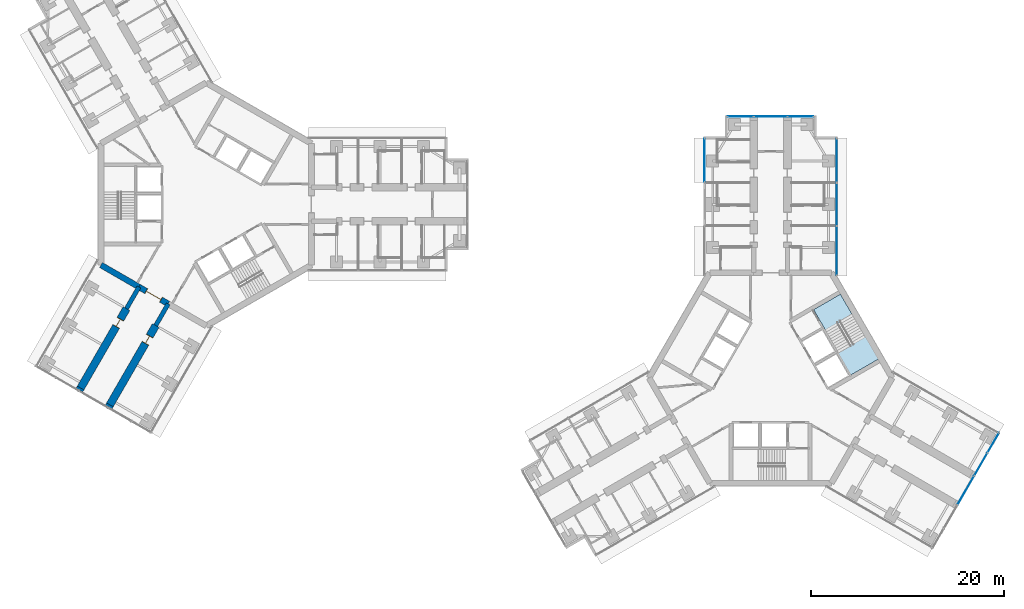
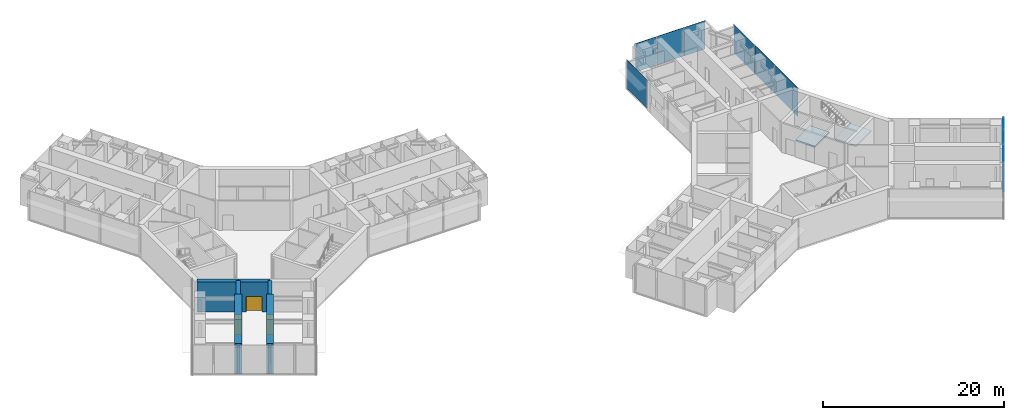
# One storey, part 14 of 23: 10 plates, 8 walls, 3 doors, 2 slabs, 3 openings, 5 elements without a shape of their own.
"""IFC4 building model written with IfcOpenShell, lengths in metres."""

from ifc_helpers import new_model, si_unit, direction, frame, frame_2d, origin, origin_2d, place, context, subcontext, project, spatial, polyline, rectangle, outline, extrude, material, layer, layer_set, type_object, element, fill, aggregate, save


model = new_model("IFC4")

# Units and contexts
model_context = context("Model", 3, precision=1e-05, world=origin(), true_north=direction((0.0, 1.0)))
body_context = subcontext(model_context, "Body", "Model", "MODEL_VIEW")
ifc_project = project(units=[si_unit("LENGTHUNIT", "METRE"), si_unit("AREAUNIT", "SQUARE_METRE"), si_unit("VOLUMEUNIT", "CUBIC_METRE"), si_unit("PLANEANGLEUNIT", "RADIAN"), si_unit("MASSUNIT", "GRAM", prefix="KILO")], contexts=[model_context])

# Site, building, storey
site_placement = place(None, origin())
site = spatial("IfcSite", under=ifc_project, at=site_placement, CompositionType="ELEMENT")
building_placement = place(site_placement, origin())
building = spatial("IfcBuilding", under=site, at=building_placement, Name="Upepo Twin Towers", CompositionType="ELEMENT")
storey_placement = place(building_placement, frame((0.0, 0.0, 161.5)))
storey = spatial("IfcBuildingStorey", under=building, at=storey_placement, Name="L39", CompositionType="ELEMENT", Elevation=161.5)

# Curtain wall, plate
ifc_material_1 = material(Name="Aluminium and fritted glass", Category="aluminium")
curtain_wall_type = type_object("IfcCurtainWallType", Name="Tower curtain wall TW2, fritted glass", PredefinedType="NOTDEFINED", material=ifc_material_1)
curtain_wall_1_placement = place(storey_placement, origin())
curtain_wall_1 = element("IfcCurtainWall", 1, at=curtain_wall_1_placement, inside=storey, type_object=curtain_wall_type, Name="T2 L39 wing A flank L curtain wall 2", PredefinedType="NOTDEFINED")
ifc_material_2 = material(Name="Ceramic-fritted laminated glass", Category="glass")
ifc_layer_1 = layer(ifc_material_2, 0.031982421875)
ifc_layer_set_1 = layer_set([ifc_layer_1], Name="Fritted glass panel, 45 per cent dot frit, 32 mm double glazed")
plate_type_1 = type_object("IfcPlateType", Name="Fritted glass panel, 45 per cent dot frit, 32 mm double glazed", PredefinedType="CURTAIN_PANEL", material=ifc_layer_set_1)
plate_1_placement = place(storey_placement, frame((51.64990234375, 4.550048828125, 0.14990234375), z_axis=(0.0, 0.0, 1.0), x_axis=(0.0, 1.0, 0.0)))
plate_1 = element("IfcPlate", 2, at=plate_1_placement, type_object=plate_type_1, Name="T2 L39 wing A flank L curtain wall 2 panel 1", PredefinedType="CURTAIN_PANEL", context=body_context, shape_type="SweptSolid", body=[
    extrude(rectangle(XDim=4.469970703125, YDim=0.031982421875, at=origin_2d()), origin(), (0.0, 0.0, 1.0), 3.85009765625),
])
aggregate(curtain_wall_1, [plate_1])

# Curtain wall, plates
curtain_wall_2_placement = place(storey_placement, origin())
curtain_wall_2 = element("IfcCurtainWall", 3, at=curtain_wall_2_placement, inside=storey, type_object=curtain_wall_type, Name="T2 L39 wing A flank R curtain wall", PredefinedType="NOTDEFINED")
plate_2_placement = place(storey_placement, frame((65.35009765625, 4.53369140625, 0.14990234375), z_axis=(0.0, 0.0, 1.0), x_axis=(0.0, -1.0, 0.0)))
plate_2 = element("IfcPlate", 4, at=plate_2_placement, type_object=plate_type_1, Name="T2 L39 wing A flank R curtain wall panel 1", PredefinedType="CURTAIN_PANEL", context=body_context, shape_type="SweptSolid", body=[
    extrude(rectangle(XDim=4.50244140625, YDim=0.031982421875, at=origin_2d()), origin(), (0.0, 0.0, 1.0), 3.85009765625),
])
plate_3_placement = place(storey_placement, frame((65.35009765625, 0.0, 0.14990234375), z_axis=(0.0, 0.0, 1.0), x_axis=(0.0, -1.0, 0.0)))
plate_3 = element("IfcPlate", 5, at=plate_3_placement, type_object=plate_type_1, Name="T2 L39 wing A flank R curtain wall panel 2", PredefinedType="CURTAIN_PANEL", context=body_context, shape_type="SweptSolid", body=[
    extrude(rectangle(XDim=4.43505859375, YDim=0.031982421875, at=origin_2d()), origin(), (0.0, 0.0, 1.0), 3.85009765625),
])
plate_4_placement = place(storey_placement, frame((65.35009765625, -4.815185546875, 0.14990234375), z_axis=(0.0, 0.0, 1.0), x_axis=(0.0, -1.0, 0.0)))
plate_4 = element("IfcPlate", 6, at=plate_4_placement, type_object=plate_type_1, Name="T2 L39 wing A flank R curtain wall panel 3", PredefinedType="CURTAIN_PANEL", context=body_context, shape_type="SweptSolid", body=[
    extrude(rectangle(XDim=5.0654296875, YDim=0.031982421875, at=origin_2d()), origin(), (0.0, 0.0, 1.0), 3.85009765625),
])
aggregate(curtain_wall_2, [plate_2, plate_3, plate_4])

# Curtain wall, plate
curtain_wall_3_placement = place(storey_placement, origin())
curtain_wall_3 = element("IfcCurtainWall", 7, at=curtain_wall_3_placement, inside=storey, type_object=curtain_wall_type, Name="T2 L39 wing A nose curtain wall", PredefinedType="NOTDEFINED")
plate_5_placement = place(storey_placement, frame((58.5, 9.10009765625, 0.14990234375), z_axis=(0.0, 0.0, 1.0), x_axis=(-1.0, 0.0, 0.0)))
plate_5 = element("IfcPlate", 8, at=plate_5_placement, type_object=plate_type_1, Name="T2 L39 wing A nose curtain wall panel 2", PredefinedType="CURTAIN_PANEL", context=body_context, shape_type="SweptSolid", body=[
    extrude(rectangle(XDim=3.43505859375, YDim=0.031982421875, at=origin_2d()), origin(), (0.0, 0.0, 1.0), 3.85009765625),
])

# Curtain wall, plates
curtain_wall_4_placement = place(storey_placement, origin())
curtain_wall_4 = element("IfcCurtainWall", 9, at=curtain_wall_4_placement, inside=storey, type_object=curtain_wall_type, Name="T2 L39 wing C nose curtain wall", PredefinedType="NOTDEFINED")
plate_6_placement = place(storey_placement, frame((78.7216796875, -29.675048828125, 0.14990234375), z_axis=(0.0, 0.0, 1.0), x_axis=(0.499999972355, 0.866025419745, 0.0)))
plate_6 = element("IfcPlate", 10, at=plate_6_placement, type_object=plate_type_1, Name="T2 L39 wing C nose curtain wall panel 3", PredefinedType="CURTAIN_PANEL", context=body_context, shape_type="SweptSolid", body=[
    extrude(rectangle(XDim=3.43505859375, YDim=0.031982421875, at=origin_2d()), origin(), (0.0, 0.0, 1.0), 3.85009765625),
])
plate_7_placement = place(storey_placement, frame((80.2841796875, -26.96875, 0.14990234375), z_axis=(0.0, 0.0, 1.0), x_axis=(0.499999972355, 0.866025419745, 0.0)))
plate_7 = element("IfcPlate", 11, at=plate_7_placement, type_object=plate_type_1, Name="T2 L39 wing C nose curtain wall panel 4", PredefinedType="CURTAIN_PANEL", context=body_context, shape_type="SweptSolid", body=[
    extrude(rectangle(XDim=2.68505859375, YDim=0.031982421875, at=origin_2d()), origin(), (0.0, 0.0, 1.0), 3.85009765625),
])

# Plate
ifc_material_3 = material(Name="Clear laminated glass in opening sash", Category="glass")
ifc_layer_2 = layer(ifc_material_3, 0.031982421875)
ifc_layer_set_2 = layer_set([ifc_layer_2], Name="Operable glass panel, 32 mm double glazed")
plate_type_2 = type_object("IfcPlateType", Name="Operable glass panel, 32 mm double glazed", PredefinedType="CURTAIN_PANEL", material=ifc_layer_set_2)
plate_8_placement = place(storey_placement, frame((61.608642578125, 9.10009765625, 0.14990234375), z_axis=(0.0, 0.0, 1.0), x_axis=(-1.0, 0.0, 0.0)))
plate_8 = element("IfcPlate", 12, at=plate_8_placement, type_object=plate_type_2, Name="T2 L39 wing A nose curtain wall panel 1", PredefinedType="CURTAIN_PANEL", context=body_context, shape_type="SweptSolid", body=[
    extrude(rectangle(XDim=2.652587890625, YDim=0.031982421875, at=origin_2d()), origin(), (0.0, 0.0, 1.0), 3.85009765625),
])

plate_9_placement = place(storey_placement, frame((55.391357421875, 9.10009765625, 0.14990234375), z_axis=(0.0, 0.0, 1.0), x_axis=(-1.0, 0.0, 0.0)))
plate_9 = element("IfcPlate", 13, at=plate_9_placement, type_object=plate_type_2, Name="T2 L39 wing A nose curtain wall panel 3", PredefinedType="CURTAIN_PANEL", context=body_context, shape_type="SweptSolid", body=[
    extrude(rectangle(XDim=2.652587890625, YDim=0.031982421875, at=origin_2d()), origin(), (0.0, 0.0, 1.0), 3.85009765625),
])

aggregate(curtain_wall_3, [plate_8, plate_5, plate_9])

plate_10_placement = place(storey_placement, frame((81.576171875, -24.73095703125, 0.14990234375), z_axis=(0.0, 0.0, 1.0), x_axis=(0.499999972355, 0.866025419745, 0.0)))
plate_10 = element("IfcPlate", 14, at=plate_10_placement, type_object=plate_type_2, Name="T2 L39 wing C nose curtain wall panel 5", PredefinedType="CURTAIN_PANEL", context=body_context, shape_type="SweptSolid", body=[
    extrude(rectangle(XDim=2.3525390625, YDim=0.031982421875, at=origin_2d()), origin(), (0.0, 0.0, 1.0), 3.85009765625),
])

aggregate(curtain_wall_4, [plate_6, plate_7, plate_10])

# Stair, slabs
ifc_material_4 = material(Name="Concrete C40/50", Category="concrete")
stair_type = type_object("IfcStairType", Name="Core stair, two flights", PredefinedType="HALF_TURN_STAIR", material=ifc_material_4)
stair_placement = place(storey_placement, origin())
stair = element("IfcStair", 15, at=stair_placement, inside=storey, type_object=stair_type, Name="T2 stair S2 L39", PredefinedType="HALF_TURN_STAIR")
ifc_material_5 = material(Name="Concrete C40/50", Category="concrete")
ifc_layer_3 = layer(ifc_material_5, 0.199951171875)
ifc_layer_set_3 = layer_set([ifc_layer_3], Name="Concrete C40/50")
slab_type = type_object("IfcSlabType", Name="Stair landing 200 RC", PredefinedType="LANDING", material=ifc_layer_set_3)
slab_1_placement = place(storey_placement, frame((0.0, 0.0, -0.199951171875)))
slab_1 = element("IfcSlab", 16, at=slab_1_placement, type_object=slab_type, Name="Stair S2 landing 1", PredefinedType="LANDING", context=body_context, shape_type="SweptSolid", body=[
    extrude(outline(polyline([(64.198486328125, -13.0703125), (66.97705078125, -11.466064453125), (65.737060546875, -9.318359375), (62.95849609375, -10.922607421875), (64.198486328125, -13.0703125)])), origin(), (0.0, 0.0, 1.0), 0.199951171875),
])
slab_2_placement = place(storey_placement, frame((0.0, 0.0, 1.800048828125)))
slab_2 = element("IfcSlab", 17, at=slab_2_placement, type_object=slab_type, Name="Stair S2 landing 2", PredefinedType="LANDING", context=body_context, shape_type="SweptSolid", body=[
    extrude(outline(polyline([(66.77197265625, -17.7275390625), (69.7236328125, -16.0234375), (68.36376953125, -13.667724609375), (65.411865234375, -15.371826171875), (66.77197265625, -17.7275390625)])), origin(), (0.0, 0.0, 1.0), 0.199951171875),
])
aggregate(stair, [slab_1, slab_2])

# Walls
ifc_material_6 = material(Name="Dense concrete blockwork", Category="masonry")
ifc_layer_4 = layer(ifc_material_6, 0.800048828125)
ifc_layer_set_4 = layer_set([ifc_layer_4], Name="Buttress closer 800, blockwork with fire-stopping to the curtain wall")
wall_type_1 = type_object("IfcWallType", Name="Buttress closer 800, blockwork with fire-stopping to the curtain wall", PredefinedType="PARTITIONING", material=ifc_layer_set_4)
for number, where, z_axis, x_axis, name in (
    (18, (-9.984375, -20.793701171875, 0.0), (0.0, 0.0, 1.0), (-0.500342721131, -0.865827443207, 0.0), "T1 L39 wing C buttress closer L"),
    (19, (-13.015625, -19.043701171875, 0.0), (0.0, 0.0, 1.0), (-0.500342721131, -0.865827443207, 0.0), "T1 L39 wing C buttress closer R"),
):
    element("IfcWall", number, at=place(storey_placement, frame(where, z_axis=z_axis, x_axis=x_axis)), inside=storey, type_object=wall_type_1, Name=name, PredefinedType="PARTITIONING", context=body_context, shape_type="SweptSolid", body=[
        extrude(rectangle(XDim=0.249755859375, YDim=0.800048828125, at=frame_2d((0.125, 0.0))), origin(), (0.0, 0.0, 1.0), 3.699951171875),
    ])
ifc_material_7 = material(Name="Concrete C60/75", Category="concrete")
ifc_layer_5 = layer(ifc_material_7, 0.449951171875)
ifc_layer_set_5 = layer_set([ifc_layer_5], Name="Concrete C60/75")
wall_type_2 = type_object("IfcWallType", Name="Buttress wall 450 RC", PredefinedType="SHEAR", material=ifc_layer_set_5)
for number, where, z_axis, x_axis, name in (
    (20, (-3.938720703125, -10.32177734375, 0.0), (0.0, 0.0, 1.0), (-0.499918158782, -0.866072649678, 0.0), "T1 wing C buttress wall L"),
    (21, (-6.9697265625, -8.57177734375, 0.0), (0.0, 0.0, 1.0), (-0.499988811324, -0.866031863473, 0.0), "T1 wing C buttress wall R"),
):
    element("IfcWall", number, at=place(storey_placement, frame(where, z_axis=z_axis, x_axis=x_axis)), inside=storey, type_object=wall_type_2, Name=name, PredefinedType="SHEAR", context=body_context, shape_type="SweptSolid", body=[
        extrude(rectangle(XDim=2.591796875, YDim=0.449951171875, at=frame_2d((1.2958984375, 0.0))), origin(), (0.0, 0.0, 1.0), 4.0),
    ])

# Wall, opening, door
ifc_material_8 = material(Name="Concrete C60/75", Category="concrete")
ifc_layer_6 = layer(ifc_material_8, 0.800048828125)
ifc_layer_set_6 = layer_set([ifc_layer_6], Name="Concrete C60/75")
wall_type_3 = type_object("IfcWallType", Name="Buttress wall 800 RC", PredefinedType="SHEAR", material=ifc_layer_set_6)
wall_1_placement = place(storey_placement, frame((-5.234375, -12.56640625, 0.0), z_axis=(0.0, 0.0, 1.0), x_axis=(-0.499997557548, -0.86602681393, 0.0)))
wall_1 = element("IfcWall", 22, at=wall_1_placement, inside=storey, type_object=wall_type_3, Name="T1 wing C buttress wall L part 2", PredefinedType="SHEAR", context=body_context, shape_type="SweptSolid", body=[
    extrude(rectangle(XDim=9.5, YDim=0.800048828125, at=frame_2d((4.75, 0.0))), origin(), (0.0, 0.0, 1.0), 4.0),
])
opening_1_placement = place(wall_1_placement, frame((1.25, 0.0, 0.0)))
opening_1 = element("IfcOpeningElement", 23, at=opening_1_placement, cuts=wall_1, Name="Opening D14", PredefinedType="OPENING", context=body_context, shape_type="SweptSolid", body=[
    extrude(rectangle(XDim=0.89990234375, YDim=2.10009765625, at=frame_2d((0.449951171875, 1.050048828125))), frame((0.0, 0.409912109375, 0.0), z_axis=(0.0, -1.0, 0.0), x_axis=(1.0, 0.0, 0.0)), (0.0, 0.0, 1.0), 0.820068359375),
])
ifc_material_9 = material(Name="Timber doorset", Category="wood")
door_type_1 = type_object("IfcDoorType", Name="Office door 900 FD30", OperationType="SINGLE_SWING_LEFT", PredefinedType="DOOR", material=ifc_material_9)
door_1_placement = place(opening_1_placement, origin())
door_1 = element("IfcDoor", 24, at=door_1_placement, inside=storey, type_object=door_type_1, Name="T1 L39 postgraduate office door", OperationType="SINGLE_SWING_LEFT", OverallHeight=2.10009765625, OverallWidth=0.89990234375, PredefinedType="DOOR", context=body_context, shape_type="SweptSolid", body=[
    extrude(rectangle(XDim=0.81990234375, YDim=2.06009765625, at=frame_2d((0.449951171875, 1.030029296875))), frame((0.0, 0.02490234375, 0.0), z_axis=(0.0, -1.0, 0.0), x_axis=(1.0, 0.0, 0.0)), (0.0, 0.0, 1.0), 0.050048828125),
    extrude(rectangle(XDim=0.04, YDim=2.10009765625, at=frame_2d((0.02001953125, 1.050048828125))), frame((0.0, 0.39990234375, 0.0), z_axis=(0.0, -1.0, 0.0), x_axis=(1.0, 0.0, 0.0)), (0.0, 0.0, 1.0), 0.799560546875),
    extrude(rectangle(XDim=0.04, YDim=2.10009765625, at=frame_2d((0.8798828125, 1.050048828125))), frame((0.0, 0.39990234375, 0.0), z_axis=(0.0, -1.0, 0.0), x_axis=(1.0, 0.0, 0.0)), (0.0, 0.0, 1.0), 0.799560546875),
    extrude(rectangle(XDim=0.81990234375, YDim=0.04, at=frame_2d((0.449951171875, 2.080078125))), frame((0.0, 0.39990234375, 0.0), z_axis=(0.0, -1.0, 0.0), x_axis=(1.0, 0.0, 0.0)), (0.0, 0.0, 1.0), 0.799560546875),
])
fill(opening_1, door_1)

wall_2_placement = place(storey_placement, frame((-8.265625, -10.81640625, 0.0), z_axis=(0.0, 0.0, 1.0), x_axis=(-0.499997557548, -0.86602681393, 0.0)))
wall_2 = element("IfcWall", 25, at=wall_2_placement, inside=storey, type_object=wall_type_3, Name="T1 wing C buttress wall R part 2", PredefinedType="SHEAR", context=body_context, shape_type="SweptSolid", body=[
    extrude(rectangle(XDim=9.5, YDim=0.800048828125, at=frame_2d((4.75, 0.0))), origin(), (0.0, 0.0, 1.0), 4.0),
])
opening_2_placement = place(wall_2_placement, frame((1.25, 0.0, 0.0)))
opening_2 = element("IfcOpeningElement", 26, at=opening_2_placement, cuts=wall_2, Name="Opening D14", PredefinedType="OPENING", context=body_context, shape_type="SweptSolid", body=[
    extrude(rectangle(XDim=0.89990234375, YDim=2.10009765625, at=frame_2d((0.449951171875, 1.050048828125))), frame((0.0, 0.409912109375, 0.0), z_axis=(0.0, -1.0, 0.0), x_axis=(1.0, 0.0, 0.0)), (0.0, 0.0, 1.0), 0.820068359375),
])
door_2_placement = place(opening_2_placement, origin())
door_2 = element("IfcDoor", 27, at=door_2_placement, inside=storey, type_object=door_type_1, Name="T1 L39 postgraduate office door", OperationType="SINGLE_SWING_LEFT", OverallHeight=2.10009765625, OverallWidth=0.89990234375, PredefinedType="DOOR", context=body_context, shape_type="SweptSolid", body=[
    extrude(rectangle(XDim=0.81990234375, YDim=2.06009765625, at=frame_2d((0.449951171875, 1.030029296875))), frame((0.0, 0.02490234375, 0.0), z_axis=(0.0, -1.0, 0.0), x_axis=(1.0, 0.0, 0.0)), (0.0, 0.0, 1.0), 0.050048828125),
    extrude(rectangle(XDim=0.04, YDim=2.10009765625, at=frame_2d((0.02001953125, 1.050048828125))), frame((0.0, 0.39990234375, 0.0), z_axis=(0.0, -1.0, 0.0), x_axis=(1.0, 0.0, 0.0)), (0.0, 0.0, 1.0), 0.799560546875),
    extrude(rectangle(XDim=0.04, YDim=2.10009765625, at=frame_2d((0.8798828125, 1.050048828125))), frame((0.0, 0.39990234375, 0.0), z_axis=(0.0, -1.0, 0.0), x_axis=(1.0, 0.0, 0.0)), (0.0, 0.0, 1.0), 0.799560546875),
    extrude(rectangle(XDim=0.81990234375, YDim=0.04, at=frame_2d((0.449951171875, 2.080078125))), frame((0.0, 0.39990234375, 0.0), z_axis=(0.0, -1.0, 0.0), x_axis=(1.0, 0.0, 0.0)), (0.0, 0.0, 1.0), 0.799560546875),
])
fill(opening_2, door_2)

# Wall
ifc_material_10 = material(Name="Concrete C60/75", Category="concrete")
ifc_layer_7 = layer(ifc_material_10, 0.60009765625)
ifc_layer_set_7 = layer_set([ifc_layer_7], Name="Concrete C60/75")
wall_type_4 = type_object("IfcWallType", Name="Core wall 600 RC", PredefinedType="SHEAR", material=ifc_layer_set_7)
wall_3_placement = place(storey_placement, frame((-10.908447265625, -6.2978515625, 0.0), z_axis=(0.0, 0.0, 1.0), x_axis=(0.866034513004, -0.499984222037, 0.0)))
element("IfcWall", 28, at=wall_3_placement, inside=storey, type_object=wall_type_4, Name="T1 core wall 240 R", PredefinedType="SHEAR", context=body_context, shape_type="SweptSolid", body=[
    extrude(rectangle(XDim=4.548095703125, YDim=0.60009765625, at=frame_2d((2.27392578125, 0.0))), origin(), (0.0, 0.0, 1.0), 4.0),
])

# Wall, opening, door
wall_4_placement = place(storey_placement, frame((-6.9697265625, -8.57177734375, 0.0), z_axis=(0.0, 0.0, 1.0), x_axis=(0.866019471182, -0.500010275428, 0.0)))
wall_4 = element("IfcWall", 29, at=wall_4_placement, inside=storey, type_object=wall_type_4, Name="T1 core wall 240", PredefinedType="SHEAR", context=body_context, shape_type="SweptSolid", body=[
    extrude(rectangle(XDim=3.5, YDim=0.60009765625, at=frame_2d((1.75, 0.0))), origin(), (0.0, 0.0, 1.0), 4.0),
])
opening_3_placement = place(wall_4_placement, frame((0.85009765625, 0.0, 0.0)))
opening_3 = element("IfcOpeningElement", 30, at=opening_3_placement, cuts=wall_4, Name="Opening D2", PredefinedType="OPENING", context=body_context, shape_type="SweptSolid", body=[
    extrude(rectangle(XDim=1.800048828125, YDim=2.10009765625, at=frame_2d((0.89990234375, 1.050048828125))), frame((0.0, 0.31005859375, 0.0), z_axis=(0.0, -1.0, 0.0), x_axis=(1.0, 0.0, 0.0)), (0.0, 0.0, 1.0), 0.6201171875),
])
ifc_material_11 = material(Name="Timber doorset", Category="wood")
door_type_2 = type_object("IfcDoorType", Name="Corridor double door 1800 FD60", OperationType="DOUBLE_DOOR_DOUBLE_SWING", PredefinedType="DOOR", material=ifc_material_11)
door_3_placement = place(opening_3_placement, origin())
door_3 = element("IfcDoor", 31, at=door_3_placement, inside=storey, type_object=door_type_2, Name="T1 L39 wing C corridor door", OperationType="DOUBLE_DOOR_DOUBLE_SWING", OverallHeight=2.10009765625, OverallWidth=1.800048828125, PredefinedType="DOOR", context=body_context, shape_type="SweptSolid", body=[
    extrude(rectangle(XDim=1.720048828125, YDim=2.06009765625, at=frame_2d((0.89990234375, 1.030029296875))), frame((0.0, 0.02490234375, 0.0), z_axis=(0.0, -1.0, 0.0), x_axis=(1.0, 0.0, 0.0)), (0.0, 0.0, 1.0), 0.050048828125),
    extrude(rectangle(XDim=0.04, YDim=2.10009765625, at=frame_2d((0.02001953125, 1.050048828125))), frame((0.0, 0.2998046875, 0.0), z_axis=(0.0, -1.0, 0.0), x_axis=(1.0, 0.0, 0.0)), (0.0, 0.0, 1.0), 0.599609375),
    extrude(rectangle(XDim=0.04, YDim=2.10009765625, at=frame_2d((1.780029296875, 1.050048828125))), frame((0.0, 0.2998046875, 0.0), z_axis=(0.0, -1.0, 0.0), x_axis=(1.0, 0.0, 0.0)), (0.0, 0.0, 1.0), 0.599609375),
    extrude(rectangle(XDim=1.720048828125, YDim=0.04, at=frame_2d((0.89990234375, 2.080078125))), frame((0.0, 0.2998046875, 0.0), z_axis=(0.0, -1.0, 0.0), x_axis=(1.0, 0.0, 0.0)), (0.0, 0.0, 1.0), 0.599609375),
])
fill(opening_3, door_3)

save(model, "model.ifc")
